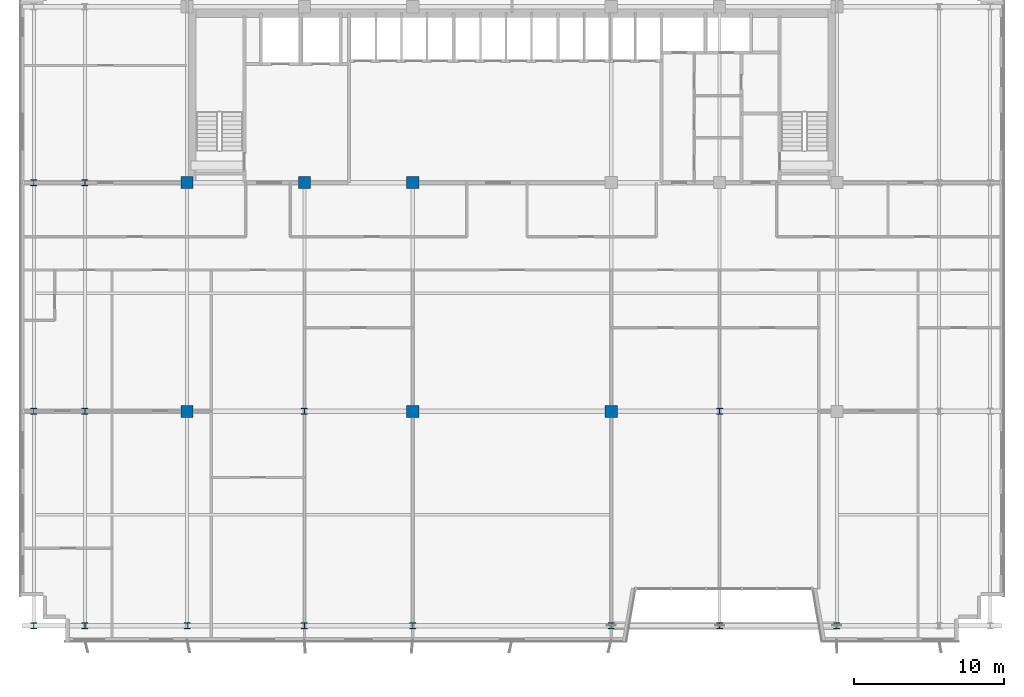
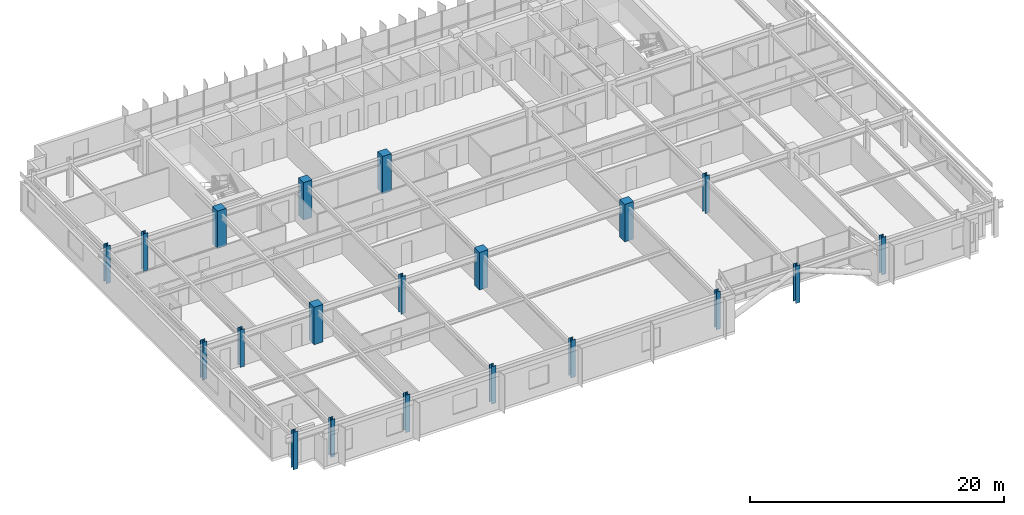
# One storey, part 1 of 26: 20 columns.
"""IFC4 building model written with IfcOpenShell, lengths in metres."""

from ifc_helpers import new_model, si_unit, direction, frame, origin, origin_2d, place, context, subcontext, project, spatial, rectangle, i_section, extrude, source, transform, mapped, material, material_profile, profile_set, type_object, element, save


model = new_model("IFC4")

# Units and contexts
model_context = context("Model", 3, precision=1e-05, world=origin(), true_north=direction((0.0, 1.0)))
body_context = subcontext(model_context, "Body", "Model", "MODEL_VIEW")
ifc_project = project(units=[si_unit("LENGTHUNIT", "METRE"), si_unit("AREAUNIT", "SQUARE_METRE"), si_unit("VOLUMEUNIT", "CUBIC_METRE"), si_unit("PLANEANGLEUNIT", "RADIAN"), si_unit("MASSUNIT", "GRAM", prefix="KILO")], contexts=[model_context])

# Site, building, storey
site_placement = place(None, origin())
site = spatial("IfcSite", under=ifc_project, at=site_placement, CompositionType="ELEMENT")
building_placement = place(site_placement, origin())
building = spatial("IfcBuilding", under=site, at=building_placement, Name="Trelvane Seafront Commons", CompositionType="ELEMENT")
storey_placement = place(building_placement, frame((0.0, 0.0, 128.5)))
storey = spatial("IfcBuildingStorey", under=building, at=storey_placement, Name="L33", CompositionType="ELEMENT", Elevation=128.5)

# Columns
ifc_material_1 = material(Name="Steel SM355 (S355)", Category="steel")
ifc_material_profile_1 = material_profile(ifc_material_1, i_section(OverallWidth=0.39990234375, OverallDepth=0.39990234375, WebThickness=0.02197265625, FlangeThickness=0.034912109375, at=origin_2d()), Name="HD-400x400x22x35")
ifc_profile_set_1 = profile_set([ifc_material_profile_1], Name="Steel SM355 (S355)")
column_type_1 = type_object("IfcColumnType", Name="STR-COL-HD400", PredefinedType="COLUMN", material=ifc_profile_set_1)
shared_shape_1 = source(origin(), body_context, "Body", "SweptSolid", [
    extrude(i_section(OverallWidth=0.39990234375, OverallDepth=0.39990234375, WebThickness=0.02197265625, FlangeThickness=0.034912109375, at=origin_2d()), origin(), (0.0, 0.0, 1.0), 3.60009765625),
])
for number, where, z_axis, x_axis, name in (
    (1, (5.39990234375, 3.949951171875, 0.0), (0.0, 0.0, 1.0), (1.0, 0.0, 0.0), "L33 Column TC-S5.4"),
    (2, (5.39990234375, 18.199951171875, 0.0), (0.0, 0.0, 1.0), (1.0, 0.0, 0.0), "L33 Column TC-M5.4"),
    (3, (5.39990234375, 33.39990234375, 0.0), (0.0, 0.0, 1.0), (1.0, 0.0, 0.0), "L33 Column TC-CS5.4"),
    (4, (8.800048828125, 3.949951171875, 0.0), (0.0, 0.0, 1.0), (1.0, 0.0, 0.0), "L33 Column TC-S8.8"),
    (5, (8.800048828125, 18.199951171875, 0.0), (0.0, 0.0, 1.0), (1.0, 0.0, 0.0), "L33 Column TC-M8.8"),
    (6, (8.800048828125, 33.39990234375, 0.0), (0.0, 0.0, 1.0), (1.0, 0.0, 0.0), "L33 Column TC-CS8.8"),
    (7, (15.60009765625, 3.949951171875, 0.0), (0.0, 0.0, 1.0), (1.0, 0.0, 0.0), "L33 Column TC-S15.6"),
    (8, (23.39990234375, 3.949951171875, 0.0), (0.0, 0.0, 1.0), (1.0, 0.0, 0.0), "L33 Column TC-S23.4"),
    (9, (23.39990234375, 18.199951171875, 0.0), (0.0, 0.0, 1.0), (1.0, 0.0, 0.0), "L33 Column TC-M23.4"),
    (10, (30.60009765625, 3.949951171875, 0.0), (0.0, 0.0, 1.0), (1.0, 0.0, 0.0), "L33 Column TC-S30.6"),
    (11, (43.800048828125, 3.949951171875, 0.0), (0.0, 0.0, 1.0), (1.0, 0.0, 0.0), "L33 Column TC-S43.8"),
    (12, (51.0, 3.949951171875, 0.0), (0.0, 0.0, 1.0), (1.0, 0.0, 0.0), "L33 Column TC-S51.0"),
    (13, (51.0, 18.199951171875, 0.0), (0.0, 0.0, 1.0), (1.0, 0.0, 0.0), "L33 Column TC-M51.0"),
    (14, (58.800048828125, 3.949951171875, 0.0), (0.0, 0.0, 1.0), (1.0, 0.0, 0.0), "L33 Column TC-S58.8"),
):
    element("IfcColumn", number, at=place(storey_placement, frame(where, z_axis=z_axis, x_axis=x_axis)), inside=storey, type_object=column_type_1, Name=name, PredefinedType="COLUMN", context=body_context, shape_type="MappedRepresentation", body=[
        mapped(shared_shape_1, transform((0.0, 0.0, 0.0), x_axis=(1.0, 0.0, 0.0), y_axis=(0.0, 1.0, 0.0), z_axis=(0.0, 0.0, 1.0), scale=1.0)),
    ])
ifc_material_2 = material(Name="Concrete C60/75", Category="concrete")
ifc_material_profile_2 = material_profile(ifc_material_2, rectangle(XDim=0.800048828125, YDim=0.800048828125, at=origin_2d()), Name="RC-800x800")
ifc_profile_set_2 = profile_set([ifc_material_profile_2], Name="Concrete C60/75")
column_type_2 = type_object("IfcColumnType", Name="STR-COL-RC800", PredefinedType="COLUMN", material=ifc_profile_set_2)
shared_shape_2 = source(origin(), body_context, "Body", "SweptSolid", [
    extrude(rectangle(XDim=0.800048828125, YDim=0.800048828125, at=origin_2d()), origin(), (0.0, 0.0, 1.0), 3.60009765625),
])
for number, where, z_axis, x_axis, name in (
    (15, (15.60009765625, 18.199951171875, 0.0), (0.0, 0.0, 1.0), (1.0, 0.0, 0.0), "L33 Column TC-M15.6"),
    (16, (15.60009765625, 33.39990234375, 0.0), (0.0, 0.0, 1.0), (1.0, 0.0, 0.0), "L33 Column TC-CS15.6"),
    (17, (23.39990234375, 33.39990234375, 0.0), (0.0, 0.0, 1.0), (1.0, 0.0, 0.0), "L33 Column TC-CS23.4"),
    (18, (30.60009765625, 18.199951171875, 0.0), (0.0, 0.0, 1.0), (1.0, 0.0, 0.0), "L33 Column TC-M30.6"),
    (19, (30.60009765625, 33.39990234375, 0.0), (0.0, 0.0, 1.0), (1.0, 0.0, 0.0), "L33 Column TC-CS30.6"),
    (20, (43.800048828125, 18.199951171875, 0.0), (0.0, 0.0, 1.0), (1.0, 0.0, 0.0), "L33 Column TC-M43.8"),
):
    element("IfcColumn", number, at=place(storey_placement, frame(where, z_axis=z_axis, x_axis=x_axis)), inside=storey, type_object=column_type_2, Name=name, PredefinedType="COLUMN", context=body_context, shape_type="MappedRepresentation", body=[
        mapped(shared_shape_2, transform((0.0, 0.0, 0.0), x_axis=(1.0, 0.0, 0.0), y_axis=(0.0, 1.0, 0.0), z_axis=(0.0, 0.0, 1.0), scale=1.0)),
    ])

save(model, "model.ifc")
